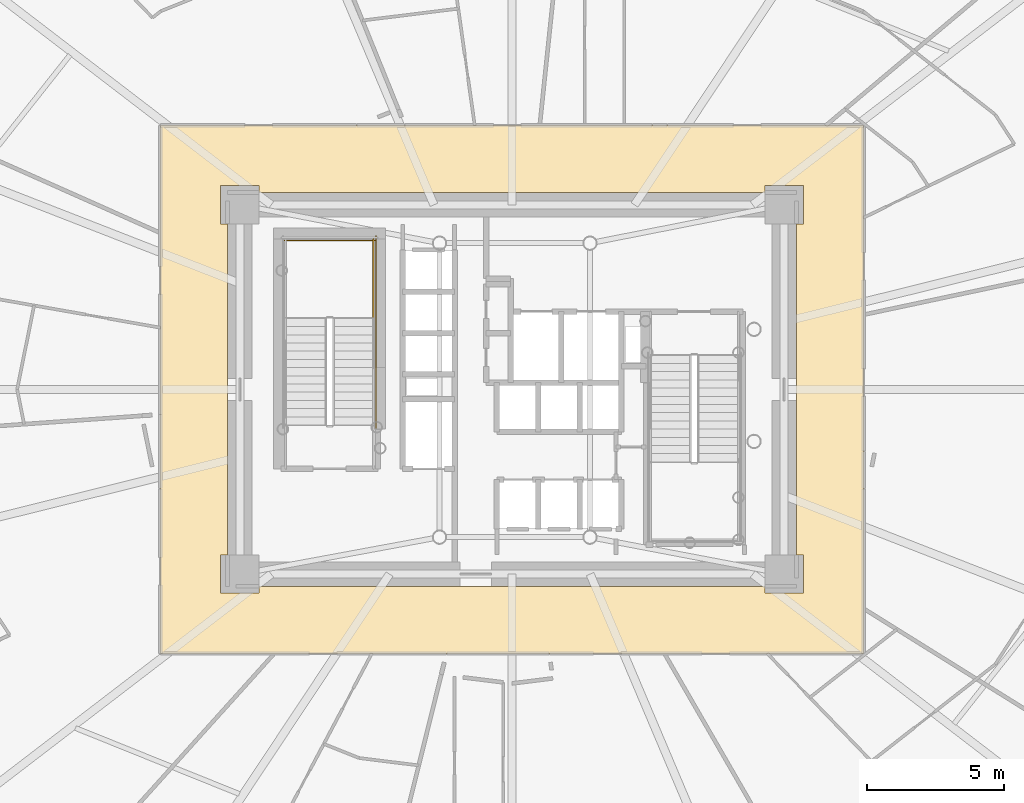
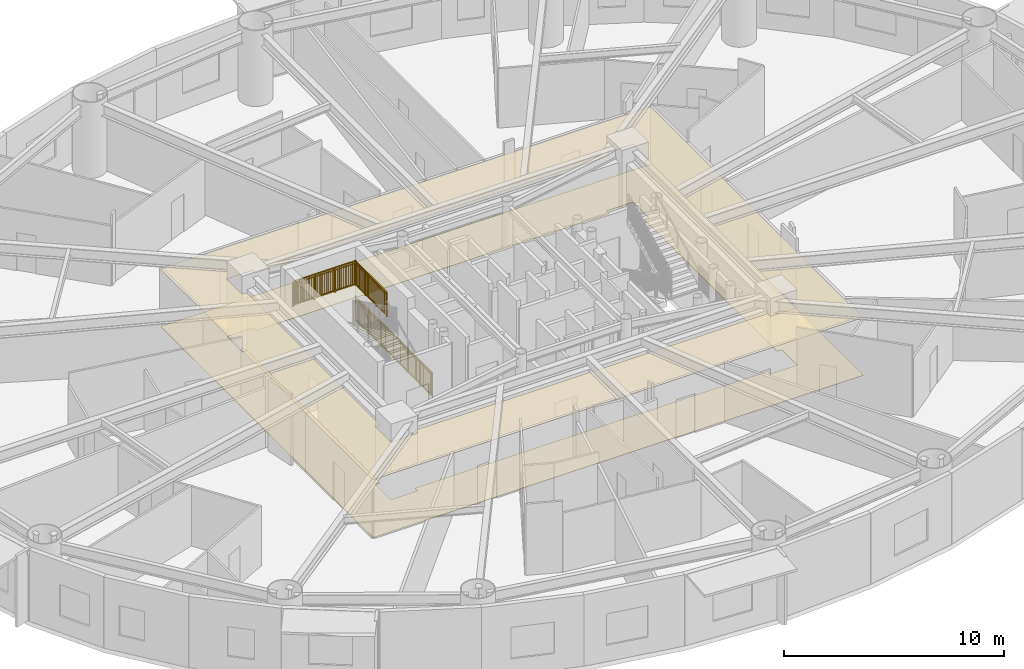
# One storey, part 17 of 21: 3 railings, 2 coverings.
"""IFC4 building model written with IfcOpenShell, lengths in metres."""

from ifc_helpers import new_model, si_unit, direction, frame, origin, origin_2d, place, context, subcontext, project, spatial, polyline, rectangle, outline, extrude, source, transform, mapped, material, layer, layer_set, type_object, element, save


model = new_model("IFC4")

# Units and contexts
model_context = context("Model", 3, precision=1e-05, world=origin(), true_north=direction((0.0, 1.0)))
body_context = subcontext(model_context, "Body", "Model", "MODEL_VIEW")
ifc_project = project(units=[si_unit("LENGTHUNIT", "METRE"), si_unit("AREAUNIT", "SQUARE_METRE"), si_unit("VOLUMEUNIT", "CUBIC_METRE"), si_unit("PLANEANGLEUNIT", "RADIAN"), si_unit("MASSUNIT", "GRAM", prefix="KILO")], contexts=[model_context])

# Site, building, storey
site_placement = place(None, origin())
site = spatial("IfcSite", under=ifc_project, at=site_placement, CompositionType="ELEMENT")
building_placement = place(site_placement, origin())
building = spatial("IfcBuilding", under=site, at=building_placement, Name="Linh Dai School and Residence Tower", CompositionType="ELEMENT")
storey_placement = place(building_placement, frame((0.0, 0.0, 61.800048828125)))
storey = spatial("IfcBuildingStorey", under=building, at=storey_placement, Name="L14", CompositionType="ELEMENT", Elevation=61.800048828125)

# Coverings
ifc_material_1 = material(Name="Mineral Fibre Acoustic Suspended Ceiling", Category="masonry")
ifc_layer_1 = layer(ifc_material_1, 0.02001953125)
ifc_layer_set_1 = layer_set([ifc_layer_1], Name="Mineral Fibre Acoustic Suspended Ceiling")
covering_type_1 = type_object("IfcCoveringType", Name="COV-CEIL-AC-20", PredefinedType="CEILING", material=ifc_layer_set_1)
covering_1_placement = place(storey_placement, frame((0.0, 0.0, 3.199951171875)))
element("IfcCovering", 1, at=covering_1_placement, inside=storey, type_object=covering_type_1, Name="L14 Residential Floor Corridor Suspended Ceiling", PredefinedType="CEILING", context=body_context, shape_type="SweptSolid", body=[
    extrude(outline(polyline([(48.85009765625, 36.64990234375), (48.85009765625, 17.35009765625), (23.14990234375, 17.35009765625), (23.14990234375, 36.64990234375), (48.85009765625, 36.64990234375)]), holes=[polyline([(26.75, 34.199951171875), (26.75, 34.449951171875), (25.35009765625, 34.449951171875), (25.35009765625, 33.050048828125), (25.60009765625, 33.050048828125), (25.60009765625, 20.949951171875), (25.35009765625, 20.949951171875), (25.35009765625, 19.550048828125), (26.75, 19.550048828125), (26.75, 19.800048828125), (45.25, 19.800048828125), (45.25, 19.550048828125), (46.64990234375, 19.550048828125), (46.64990234375, 20.949951171875), (46.39990234375, 20.949951171875), (46.39990234375, 33.050048828125), (46.64990234375, 33.050048828125), (46.64990234375, 34.449951171875), (45.25, 34.449951171875), (45.25, 34.199951171875), (26.75, 34.199951171875)])]), origin(), (0.0, 0.0, 1.0), 0.02001953125),
])
ifc_material_2 = material(Name="Polished Terrazzo Floor Finish", Category="masonry")
ifc_layer_2 = layer(ifc_material_2, 0.02490234375)
ifc_layer_set_2 = layer_set([ifc_layer_2], Name="Polished Terrazzo Floor Finish")
covering_type_2 = type_object("IfcCoveringType", Name="COV-FLR-TRZ-25", PredefinedType="FLOORING", material=ifc_layer_set_2)
covering_2_placement = place(storey_placement, origin())
element("IfcCovering", 2, at=covering_2_placement, inside=storey, type_object=covering_type_2, Name="L14 Residential Floor Corridor Floor Finish", PredefinedType="FLOORING", context=body_context, shape_type="SweptSolid", body=[
    extrude(outline(polyline([(48.85009765625, 36.64990234375), (48.85009765625, 17.35009765625), (23.14990234375, 17.35009765625), (23.14990234375, 36.64990234375), (48.85009765625, 36.64990234375)]), holes=[polyline([(26.75, 34.199951171875), (26.75, 34.449951171875), (25.35009765625, 34.449951171875), (25.35009765625, 33.050048828125), (25.60009765625, 33.050048828125), (25.60009765625, 20.949951171875), (25.35009765625, 20.949951171875), (25.35009765625, 19.550048828125), (26.75, 19.550048828125), (26.75, 19.800048828125), (45.25, 19.800048828125), (45.25, 19.550048828125), (46.64990234375, 19.550048828125), (46.64990234375, 20.949951171875), (46.39990234375, 20.949951171875), (46.39990234375, 33.050048828125), (46.64990234375, 33.050048828125), (46.64990234375, 34.449951171875), (45.25, 34.449951171875), (45.25, 34.199951171875), (26.75, 34.199951171875)])]), origin(), (0.0, 0.0, 1.0), 0.02001953125),
])

# Railings
ifc_material_3 = material(Name="Structural Steel S355JR", Category="steel")
railing_type = type_object("IfcRailingType", Name="RL-ST-GUARD-1400", PredefinedType="GUARDRAIL", material=ifc_material_3)
shared_shape_1 = source(origin(), body_context, "Body", "SweptSolid", [
    extrude(rectangle(XDim=0.048095703125, YDim=0.048095703125, at=origin_2d()), frame((0.0, 0.0, 1.3759765625), z_axis=(-1.0, 0.0, 0.0), x_axis=(0.0, -1.0, 0.0)), (0.0, 0.0, 1.0), 3.300048828125),
    extrude(rectangle(XDim=0.048095703125, YDim=0.048095703125, at=origin_2d()), frame((0.0, 0.0, 0.10009765625), z_axis=(-1.0, 0.0, 0.0), x_axis=(0.0, -1.0, 0.0)), (0.0, 0.0, 1.0), 3.300048828125),
    extrude(rectangle(XDim=0.030029296875, YDim=0.030029296875, at=origin_2d()), frame((0.0, 0.0, 1.239990234375), z_axis=(-1.0, 0.0, 0.0), x_axis=(0.0, -1.0, 0.0)), (0.0, 0.0, 1.0), 3.300048828125),
    extrude(rectangle(XDim=0.02001953125, YDim=0.02001953125, at=origin_2d()), frame((-0.09716796875, 0.0, 0.10009765625)), (0.0, 0.0, 1.0), 1.251708984375),
    extrude(rectangle(XDim=0.02001953125, YDim=0.02001953125, at=origin_2d()), frame((-0.194091796875, 0.0, 0.10009765625)), (0.0, 0.0, 1.0), 1.251708984375),
    extrude(rectangle(XDim=0.02001953125, YDim=0.02001953125, at=origin_2d()), frame((-0.291259765625, 0.0, 0.10009765625)), (0.0, 0.0, 1.0), 1.251708984375),
    extrude(rectangle(XDim=0.02001953125, YDim=0.02001953125, at=origin_2d()), frame((-0.38818359375, 0.0, 0.10009765625)), (0.0, 0.0, 1.0), 1.251708984375),
    extrude(rectangle(XDim=0.02001953125, YDim=0.02001953125, at=origin_2d()), frame((-0.4853515625, 0.0, 0.10009765625)), (0.0, 0.0, 1.0), 1.251708984375),
    extrude(rectangle(XDim=0.02001953125, YDim=0.02001953125, at=origin_2d()), frame((-0.582275390625, 0.0, 0.10009765625)), (0.0, 0.0, 1.0), 1.251708984375),
    extrude(rectangle(XDim=0.02001953125, YDim=0.02001953125, at=origin_2d()), frame((-0.679443359375, 0.0, 0.10009765625)), (0.0, 0.0, 1.0), 1.251708984375),
    extrude(rectangle(XDim=0.02001953125, YDim=0.02001953125, at=origin_2d()), frame((-0.7763671875, 0.0, 0.10009765625)), (0.0, 0.0, 1.0), 1.251708984375),
    extrude(rectangle(XDim=0.02001953125, YDim=0.02001953125, at=origin_2d()), frame((-0.87353515625, 0.0, 0.10009765625)), (0.0, 0.0, 1.0), 1.251708984375),
    extrude(rectangle(XDim=0.02001953125, YDim=0.02001953125, at=origin_2d()), frame((-0.970703125, 0.0, 0.10009765625)), (0.0, 0.0, 1.0), 1.251708984375),
    extrude(rectangle(XDim=0.02001953125, YDim=0.02001953125, at=origin_2d()), frame((-1.164794921875, 0.0, 0.10009765625)), (0.0, 0.0, 1.0), 1.251708984375),
    extrude(rectangle(XDim=0.02001953125, YDim=0.02001953125, at=origin_2d()), frame((-1.26171875, 0.0, 0.10009765625)), (0.0, 0.0, 1.0), 1.251708984375),
    extrude(rectangle(XDim=0.02001953125, YDim=0.02001953125, at=origin_2d()), frame((-1.35888671875, 0.0, 0.10009765625)), (0.0, 0.0, 1.0), 1.251708984375),
    extrude(rectangle(XDim=0.02001953125, YDim=0.02001953125, at=origin_2d()), frame((-1.455810546875, 0.0, 0.10009765625)), (0.0, 0.0, 1.0), 1.251708984375),
    extrude(rectangle(XDim=0.02001953125, YDim=0.02001953125, at=origin_2d()), frame((-1.552978515625, 0.0, 0.10009765625)), (0.0, 0.0, 1.0), 1.251708984375),
    extrude(rectangle(XDim=0.02001953125, YDim=0.02001953125, at=origin_2d()), frame((-1.64990234375, 0.0, 0.10009765625)), (0.0, 0.0, 1.0), 1.251708984375),
    extrude(rectangle(XDim=0.02001953125, YDim=0.02001953125, at=origin_2d()), frame((-1.7470703125, 0.0, 0.10009765625)), (0.0, 0.0, 1.0), 1.251708984375),
    extrude(rectangle(XDim=0.02001953125, YDim=0.02001953125, at=origin_2d()), frame((-1.84423828125, 0.0, 0.10009765625)), (0.0, 0.0, 1.0), 1.251708984375),
    extrude(rectangle(XDim=0.02001953125, YDim=0.02001953125, at=origin_2d()), frame((-1.941162109375, 0.0, 0.10009765625)), (0.0, 0.0, 1.0), 1.251708984375),
    extrude(rectangle(XDim=0.02001953125, YDim=0.02001953125, at=origin_2d()), frame((-2.038330078125, 0.0, 0.10009765625)), (0.0, 0.0, 1.0), 1.251708984375),
    extrude(rectangle(XDim=0.02001953125, YDim=0.02001953125, at=origin_2d()), frame((-2.13525390625, 0.0, 0.10009765625)), (0.0, 0.0, 1.0), 1.251708984375),
    extrude(rectangle(XDim=0.02001953125, YDim=0.02001953125, at=origin_2d()), frame((-2.329345703125, 0.0, 0.10009765625)), (0.0, 0.0, 1.0), 1.251708984375),
    extrude(rectangle(XDim=0.02001953125, YDim=0.02001953125, at=origin_2d()), frame((-2.426513671875, 0.0, 0.10009765625)), (0.0, 0.0, 1.0), 1.251708984375),
    extrude(rectangle(XDim=0.02001953125, YDim=0.02001953125, at=origin_2d()), frame((-2.523681640625, 0.0, 0.10009765625)), (0.0, 0.0, 1.0), 1.251708984375),
    extrude(rectangle(XDim=0.02001953125, YDim=0.02001953125, at=origin_2d()), frame((-2.62060546875, 0.0, 0.10009765625)), (0.0, 0.0, 1.0), 1.251708984375),
    extrude(rectangle(XDim=0.02001953125, YDim=0.02001953125, at=origin_2d()), frame((-2.7177734375, 0.0, 0.10009765625)), (0.0, 0.0, 1.0), 1.251708984375),
    extrude(rectangle(XDim=0.02001953125, YDim=0.02001953125, at=origin_2d()), frame((-2.814697265625, 0.0, 0.10009765625)), (0.0, 0.0, 1.0), 1.251708984375),
    extrude(rectangle(XDim=0.02001953125, YDim=0.02001953125, at=origin_2d()), frame((-2.911865234375, 0.0, 0.10009765625)), (0.0, 0.0, 1.0), 1.251708984375),
    extrude(rectangle(XDim=0.02001953125, YDim=0.02001953125, at=origin_2d()), frame((-3.0087890625, 0.0, 0.10009765625)), (0.0, 0.0, 1.0), 1.251708984375),
    extrude(rectangle(XDim=0.02001953125, YDim=0.02001953125, at=origin_2d()), frame((-3.10595703125, 0.0, 0.10009765625)), (0.0, 0.0, 1.0), 1.251708984375),
    extrude(rectangle(XDim=0.02001953125, YDim=0.02001953125, at=origin_2d()), frame((-3.202880859375, 0.0, 0.10009765625)), (0.0, 0.0, 1.0), 1.251708984375),
    extrude(rectangle(XDim=0.0419921875, YDim=0.0419921875, at=origin_2d()), origin(), (0.0, 0.0, 1.0), 1.3759765625),
    extrude(rectangle(XDim=0.0419921875, YDim=0.0419921875, at=origin_2d()), frame((-1.10009765625, 0.0, 0.0)), (0.0, 0.0, 1.0), 1.3759765625),
    extrude(rectangle(XDim=0.0419921875, YDim=0.0419921875, at=origin_2d()), frame((-2.199951171875, 0.0, 0.0)), (0.0, 0.0, 1.0), 1.3759765625),
    extrude(rectangle(XDim=0.0419921875, YDim=0.0419921875, at=origin_2d()), frame((-3.300048828125, 0.0, 0.0)), (0.0, 0.0, 1.0), 1.3759765625),
])
railing_1_placement = place(storey_placement, frame((30.97998046875, 32.449951171875, 2.099853515625)))
element("IfcRailing", 3, at=railing_1_placement, inside=storey, type_object=railing_type, Name="L14 ST1 stair guard 5", PredefinedType="GUARDRAIL", context=body_context, shape_type="MappedRepresentation", body=[
    mapped(shared_shape_1, transform((0.0, 0.0, 0.0), x_axis=(1.0, 0.0, 0.0), y_axis=(0.0, 1.0, 0.0), z_axis=(0.0, 0.0, 1.0), scale=1.0)),
])
shared_shape_2 = source(origin(), body_context, "Body", "SweptSolid", [
    extrude(rectangle(XDim=0.048095703125, YDim=0.048095703125, at=origin_2d()), frame((0.0, 0.0, 1.3759765625), z_axis=(0.0, 1.0, 0.0), x_axis=(-1.0, 0.0, 0.0)), (0.0, 0.0, 1.0), 7.0),
    extrude(rectangle(XDim=0.048095703125, YDim=0.048095703125, at=origin_2d()), frame((0.0, 0.0, 0.10009765625), z_axis=(0.0, 1.0, 0.0), x_axis=(-1.0, 0.0, 0.0)), (0.0, 0.0, 1.0), 7.0),
    extrude(rectangle(XDim=0.030029296875, YDim=0.030029296875, at=origin_2d()), frame((0.0, 0.0, 1.239990234375), z_axis=(0.0, 1.0, 0.0), x_axis=(-1.0, 0.0, 0.0)), (0.0, 0.0, 1.0), 7.0),
    extrude(rectangle(XDim=0.02001953125, YDim=0.02001953125, at=origin_2d()), frame((0.0, 0.09716796875, 0.10009765625)), (0.0, 0.0, 1.0), 1.251708984375),
    extrude(rectangle(XDim=0.02001953125, YDim=0.02001953125, at=origin_2d()), frame((0.0, 0.1943359375, 0.10009765625)), (0.0, 0.0, 1.0), 1.251708984375),
    extrude(rectangle(XDim=0.02001953125, YDim=0.02001953125, at=origin_2d()), frame((0.0, 0.291748046875, 0.10009765625)), (0.0, 0.0, 1.0), 1.251708984375),
    extrude(rectangle(XDim=0.02001953125, YDim=0.02001953125, at=origin_2d()), frame((0.0, 0.388916015625, 0.10009765625)), (0.0, 0.0, 1.0), 1.251708984375),
    extrude(rectangle(XDim=0.02001953125, YDim=0.02001953125, at=origin_2d()), frame((0.0, 0.486083984375, 0.10009765625)), (0.0, 0.0, 1.0), 1.251708984375),
    extrude(rectangle(XDim=0.02001953125, YDim=0.02001953125, at=origin_2d()), frame((0.0, 0.583251953125, 0.10009765625)), (0.0, 0.0, 1.0), 1.251708984375),
    extrude(rectangle(XDim=0.02001953125, YDim=0.02001953125, at=origin_2d()), frame((0.0, 0.6806640625, 0.10009765625)), (0.0, 0.0, 1.0), 1.251708984375),
    extrude(rectangle(XDim=0.02001953125, YDim=0.02001953125, at=origin_2d()), frame((0.0, 0.77783203125, 0.10009765625)), (0.0, 0.0, 1.0), 1.251708984375),
    extrude(rectangle(XDim=0.02001953125, YDim=0.02001953125, at=origin_2d()), frame((0.0, 0.875, 0.10009765625)), (0.0, 0.0, 1.0), 1.251708984375),
    extrude(rectangle(XDim=0.02001953125, YDim=0.02001953125, at=origin_2d()), frame((0.0, 0.97216796875, 0.10009765625)), (0.0, 0.0, 1.0), 1.251708984375),
    extrude(rectangle(XDim=0.02001953125, YDim=0.02001953125, at=origin_2d()), frame((0.0, 1.0693359375, 0.10009765625)), (0.0, 0.0, 1.0), 1.251708984375),
    extrude(rectangle(XDim=0.02001953125, YDim=0.02001953125, at=origin_2d()), frame((0.0, 1.263916015625, 0.10009765625)), (0.0, 0.0, 1.0), 1.251708984375),
    extrude(rectangle(XDim=0.02001953125, YDim=0.02001953125, at=origin_2d()), frame((0.0, 1.361083984375, 0.10009765625)), (0.0, 0.0, 1.0), 1.251708984375),
    extrude(rectangle(XDim=0.02001953125, YDim=0.02001953125, at=origin_2d()), frame((0.0, 1.458251953125, 0.10009765625)), (0.0, 0.0, 1.0), 1.251708984375),
    extrude(rectangle(XDim=0.02001953125, YDim=0.02001953125, at=origin_2d()), frame((0.0, 1.5556640625, 0.10009765625)), (0.0, 0.0, 1.0), 1.251708984375),
    extrude(rectangle(XDim=0.02001953125, YDim=0.02001953125, at=origin_2d()), frame((0.0, 1.65283203125, 0.10009765625)), (0.0, 0.0, 1.0), 1.251708984375),
    extrude(rectangle(XDim=0.02001953125, YDim=0.02001953125, at=origin_2d()), frame((0.0, 1.75, 0.10009765625)), (0.0, 0.0, 1.0), 1.251708984375),
    extrude(rectangle(XDim=0.02001953125, YDim=0.02001953125, at=origin_2d()), frame((0.0, 1.84716796875, 0.10009765625)), (0.0, 0.0, 1.0), 1.251708984375),
    extrude(rectangle(XDim=0.02001953125, YDim=0.02001953125, at=origin_2d()), frame((0.0, 1.9443359375, 0.10009765625)), (0.0, 0.0, 1.0), 1.251708984375),
    extrude(rectangle(XDim=0.02001953125, YDim=0.02001953125, at=origin_2d()), frame((0.0, 2.041748046875, 0.10009765625)), (0.0, 0.0, 1.0), 1.251708984375),
    extrude(rectangle(XDim=0.02001953125, YDim=0.02001953125, at=origin_2d()), frame((0.0, 2.138916015625, 0.10009765625)), (0.0, 0.0, 1.0), 1.251708984375),
    extrude(rectangle(XDim=0.02001953125, YDim=0.02001953125, at=origin_2d()), frame((0.0, 2.236083984375, 0.10009765625)), (0.0, 0.0, 1.0), 1.251708984375),
    extrude(rectangle(XDim=0.02001953125, YDim=0.02001953125, at=origin_2d()), frame((0.0, 2.4306640625, 0.10009765625)), (0.0, 0.0, 1.0), 1.251708984375),
    extrude(rectangle(XDim=0.02001953125, YDim=0.02001953125, at=origin_2d()), frame((0.0, 2.52783203125, 0.10009765625)), (0.0, 0.0, 1.0), 1.251708984375),
    extrude(rectangle(XDim=0.02001953125, YDim=0.02001953125, at=origin_2d()), frame((0.0, 2.625, 0.10009765625)), (0.0, 0.0, 1.0), 1.251708984375),
    extrude(rectangle(XDim=0.02001953125, YDim=0.02001953125, at=origin_2d()), frame((0.0, 2.72216796875, 0.10009765625)), (0.0, 0.0, 1.0), 1.251708984375),
    extrude(rectangle(XDim=0.02001953125, YDim=0.02001953125, at=origin_2d()), frame((0.0, 2.8193359375, 0.10009765625)), (0.0, 0.0, 1.0), 1.251708984375),
    extrude(rectangle(XDim=0.02001953125, YDim=0.02001953125, at=origin_2d()), frame((0.0, 2.916748046875, 0.10009765625)), (0.0, 0.0, 1.0), 1.251708984375),
    extrude(rectangle(XDim=0.02001953125, YDim=0.02001953125, at=origin_2d()), frame((0.0, 3.013916015625, 0.10009765625)), (0.0, 0.0, 1.0), 1.251708984375),
    extrude(rectangle(XDim=0.02001953125, YDim=0.02001953125, at=origin_2d()), frame((0.0, 3.111083984375, 0.10009765625)), (0.0, 0.0, 1.0), 1.251708984375),
    extrude(rectangle(XDim=0.02001953125, YDim=0.02001953125, at=origin_2d()), frame((0.0, 3.208251953125, 0.10009765625)), (0.0, 0.0, 1.0), 1.251708984375),
    extrude(rectangle(XDim=0.02001953125, YDim=0.02001953125, at=origin_2d()), frame((0.0, 3.3056640625, 0.10009765625)), (0.0, 0.0, 1.0), 1.251708984375),
    extrude(rectangle(XDim=0.02001953125, YDim=0.02001953125, at=origin_2d()), frame((0.0, 3.40283203125, 0.10009765625)), (0.0, 0.0, 1.0), 1.251708984375),
    extrude(rectangle(XDim=0.02001953125, YDim=0.02001953125, at=origin_2d()), frame((0.0, 3.59716796875, 0.10009765625)), (0.0, 0.0, 1.0), 1.251708984375),
    extrude(rectangle(XDim=0.02001953125, YDim=0.02001953125, at=origin_2d()), frame((0.0, 3.6943359375, 0.10009765625)), (0.0, 0.0, 1.0), 1.251708984375),
    extrude(rectangle(XDim=0.02001953125, YDim=0.02001953125, at=origin_2d()), frame((0.0, 3.791748046875, 0.10009765625)), (0.0, 0.0, 1.0), 1.251708984375),
    extrude(rectangle(XDim=0.02001953125, YDim=0.02001953125, at=origin_2d()), frame((0.0, 3.888916015625, 0.10009765625)), (0.0, 0.0, 1.0), 1.251708984375),
    extrude(rectangle(XDim=0.02001953125, YDim=0.02001953125, at=origin_2d()), frame((0.0, 3.986083984375, 0.10009765625)), (0.0, 0.0, 1.0), 1.251708984375),
    extrude(rectangle(XDim=0.02001953125, YDim=0.02001953125, at=origin_2d()), frame((0.0, 4.083251953125, 0.10009765625)), (0.0, 0.0, 1.0), 1.251708984375),
    extrude(rectangle(XDim=0.02001953125, YDim=0.02001953125, at=origin_2d()), frame((0.0, 4.1806640625, 0.10009765625)), (0.0, 0.0, 1.0), 1.251708984375),
    extrude(rectangle(XDim=0.02001953125, YDim=0.02001953125, at=origin_2d()), frame((0.0, 4.27783203125, 0.10009765625)), (0.0, 0.0, 1.0), 1.251708984375),
    extrude(rectangle(XDim=0.02001953125, YDim=0.02001953125, at=origin_2d()), frame((0.0, 4.375, 0.10009765625)), (0.0, 0.0, 1.0), 1.251708984375),
    extrude(rectangle(XDim=0.02001953125, YDim=0.02001953125, at=origin_2d()), frame((0.0, 4.47216796875, 0.10009765625)), (0.0, 0.0, 1.0), 1.251708984375),
    extrude(rectangle(XDim=0.02001953125, YDim=0.02001953125, at=origin_2d()), frame((0.0, 4.5693359375, 0.10009765625)), (0.0, 0.0, 1.0), 1.251708984375),
    extrude(rectangle(XDim=0.02001953125, YDim=0.02001953125, at=origin_2d()), frame((0.0, 4.763916015625, 0.10009765625)), (0.0, 0.0, 1.0), 1.251708984375),
    extrude(rectangle(XDim=0.02001953125, YDim=0.02001953125, at=origin_2d()), frame((0.0, 4.861083984375, 0.10009765625)), (0.0, 0.0, 1.0), 1.251708984375),
    extrude(rectangle(XDim=0.02001953125, YDim=0.02001953125, at=origin_2d()), frame((0.0, 4.958251953125, 0.10009765625)), (0.0, 0.0, 1.0), 1.251708984375),
    extrude(rectangle(XDim=0.02001953125, YDim=0.02001953125, at=origin_2d()), frame((0.0, 5.0556640625, 0.10009765625)), (0.0, 0.0, 1.0), 1.251708984375),
    extrude(rectangle(XDim=0.02001953125, YDim=0.02001953125, at=origin_2d()), frame((0.0, 5.15283203125, 0.10009765625)), (0.0, 0.0, 1.0), 1.251708984375),
    extrude(rectangle(XDim=0.02001953125, YDim=0.02001953125, at=origin_2d()), frame((0.0, 5.25, 0.10009765625)), (0.0, 0.0, 1.0), 1.251708984375),
    extrude(rectangle(XDim=0.02001953125, YDim=0.02001953125, at=origin_2d()), frame((0.0, 5.34716796875, 0.10009765625)), (0.0, 0.0, 1.0), 1.251708984375),
    extrude(rectangle(XDim=0.02001953125, YDim=0.02001953125, at=origin_2d()), frame((0.0, 5.4443359375, 0.10009765625)), (0.0, 0.0, 1.0), 1.251708984375),
    extrude(rectangle(XDim=0.02001953125, YDim=0.02001953125, at=origin_2d()), frame((0.0, 5.541748046875, 0.10009765625)), (0.0, 0.0, 1.0), 1.251708984375),
    extrude(rectangle(XDim=0.02001953125, YDim=0.02001953125, at=origin_2d()), frame((0.0, 5.638916015625, 0.10009765625)), (0.0, 0.0, 1.0), 1.251708984375),
    extrude(rectangle(XDim=0.02001953125, YDim=0.02001953125, at=origin_2d()), frame((0.0, 5.736083984375, 0.10009765625)), (0.0, 0.0, 1.0), 1.251708984375),
    extrude(rectangle(XDim=0.02001953125, YDim=0.02001953125, at=origin_2d()), frame((0.0, 5.9306640625, 0.10009765625)), (0.0, 0.0, 1.0), 1.251708984375),
    extrude(rectangle(XDim=0.02001953125, YDim=0.02001953125, at=origin_2d()), frame((0.0, 6.02783203125, 0.10009765625)), (0.0, 0.0, 1.0), 1.251708984375),
    extrude(rectangle(XDim=0.02001953125, YDim=0.02001953125, at=origin_2d()), frame((0.0, 6.125, 0.10009765625)), (0.0, 0.0, 1.0), 1.251708984375),
    extrude(rectangle(XDim=0.02001953125, YDim=0.02001953125, at=origin_2d()), frame((0.0, 6.22216796875, 0.10009765625)), (0.0, 0.0, 1.0), 1.251708984375),
    extrude(rectangle(XDim=0.02001953125, YDim=0.02001953125, at=origin_2d()), frame((0.0, 6.3193359375, 0.10009765625)), (0.0, 0.0, 1.0), 1.251708984375),
    extrude(rectangle(XDim=0.02001953125, YDim=0.02001953125, at=origin_2d()), frame((0.0, 6.416748046875, 0.10009765625)), (0.0, 0.0, 1.0), 1.251708984375),
    extrude(rectangle(XDim=0.02001953125, YDim=0.02001953125, at=origin_2d()), frame((0.0, 6.513916015625, 0.10009765625)), (0.0, 0.0, 1.0), 1.251708984375),
    extrude(rectangle(XDim=0.02001953125, YDim=0.02001953125, at=origin_2d()), frame((0.0, 6.611083984375, 0.10009765625)), (0.0, 0.0, 1.0), 1.251708984375),
    extrude(rectangle(XDim=0.02001953125, YDim=0.02001953125, at=origin_2d()), frame((0.0, 6.708251953125, 0.10009765625)), (0.0, 0.0, 1.0), 1.251708984375),
    extrude(rectangle(XDim=0.02001953125, YDim=0.02001953125, at=origin_2d()), frame((0.0, 6.8056640625, 0.10009765625)), (0.0, 0.0, 1.0), 1.251708984375),
    extrude(rectangle(XDim=0.02001953125, YDim=0.02001953125, at=origin_2d()), frame((0.0, 6.90283203125, 0.10009765625)), (0.0, 0.0, 1.0), 1.251708984375),
    extrude(rectangle(XDim=0.0419921875, YDim=0.0419921875, at=origin_2d()), origin(), (0.0, 0.0, 1.0), 1.3759765625),
    extrude(rectangle(XDim=0.0419921875, YDim=0.0419921875, at=origin_2d()), frame((0.0, 1.166748046875, 0.0)), (0.0, 0.0, 1.0), 1.3759765625),
    extrude(rectangle(XDim=0.0419921875, YDim=0.0419921875, at=origin_2d()), frame((0.0, 2.333251953125, 0.0)), (0.0, 0.0, 1.0), 1.3759765625),
    extrude(rectangle(XDim=0.0419921875, YDim=0.0419921875, at=origin_2d()), frame((0.0, 3.5, 0.0)), (0.0, 0.0, 1.0), 1.3759765625),
    extrude(rectangle(XDim=0.0419921875, YDim=0.0419921875, at=origin_2d()), frame((0.0, 4.666748046875, 0.0)), (0.0, 0.0, 1.0), 1.3759765625),
    extrude(rectangle(XDim=0.0419921875, YDim=0.0419921875, at=origin_2d()), frame((0.0, 5.833251953125, 0.0)), (0.0, 0.0, 1.0), 1.3759765625),
    extrude(rectangle(XDim=0.0419921875, YDim=0.0419921875, at=origin_2d()), frame((0.0, 7.0, 0.0)), (0.0, 0.0, 1.0), 1.3759765625),
])
railing_2_placement = place(storey_placement, frame((31.030029296875, 25.60009765625, 0.0)))
element("IfcRailing", 4, at=railing_2_placement, inside=storey, type_object=railing_type, Name="L14 ST1 stair guard 10", PredefinedType="GUARDRAIL", context=body_context, shape_type="MappedRepresentation", body=[
    mapped(shared_shape_2, transform((0.0, 0.0, 0.0), x_axis=(1.0, 0.0, 0.0), y_axis=(0.0, 1.0, 0.0), z_axis=(0.0, 0.0, 1.0), scale=1.0)),
])
shared_shape_3 = source(origin(), body_context, "Body", "SweptSolid", [
    extrude(rectangle(XDim=0.048095703125, YDim=0.048095703125, at=origin_2d()), frame((0.0, 0.0, 1.3759765625), z_axis=(0.0, 1.0, 0.0), x_axis=(-1.0, 0.0, 0.0)), (0.0, 0.0, 1.0), 2.89990234375),
    extrude(rectangle(XDim=0.048095703125, YDim=0.048095703125, at=origin_2d()), frame((0.0, 0.0, 0.10009765625), z_axis=(0.0, 1.0, 0.0), x_axis=(-1.0, 0.0, 0.0)), (0.0, 0.0, 1.0), 2.89990234375),
    extrude(rectangle(XDim=0.030029296875, YDim=0.030029296875, at=origin_2d()), frame((0.0, 0.0, 1.239990234375), z_axis=(0.0, 1.0, 0.0), x_axis=(-1.0, 0.0, 0.0)), (0.0, 0.0, 1.0), 2.89990234375),
    extrude(rectangle(XDim=0.02001953125, YDim=0.02001953125, at=origin_2d()), frame((0.0, 0.0966796875, 0.10009765625)), (0.0, 0.0, 1.0), 1.251708984375),
    extrude(rectangle(XDim=0.02001953125, YDim=0.02001953125, at=origin_2d()), frame((0.0, 0.193359375, 0.10009765625)), (0.0, 0.0, 1.0), 1.251708984375),
    extrude(rectangle(XDim=0.02001953125, YDim=0.02001953125, at=origin_2d()), frame((0.0, 0.2900390625, 0.10009765625)), (0.0, 0.0, 1.0), 1.251708984375),
    extrude(rectangle(XDim=0.02001953125, YDim=0.02001953125, at=origin_2d()), frame((0.0, 0.38671875, 0.10009765625)), (0.0, 0.0, 1.0), 1.251708984375),
    extrude(rectangle(XDim=0.02001953125, YDim=0.02001953125, at=origin_2d()), frame((0.0, 0.4833984375, 0.10009765625)), (0.0, 0.0, 1.0), 1.251708984375),
    extrude(rectangle(XDim=0.02001953125, YDim=0.02001953125, at=origin_2d()), frame((0.0, 0.580078125, 0.10009765625)), (0.0, 0.0, 1.0), 1.251708984375),
    extrude(rectangle(XDim=0.02001953125, YDim=0.02001953125, at=origin_2d()), frame((0.0, 0.6767578125, 0.10009765625)), (0.0, 0.0, 1.0), 1.251708984375),
    extrude(rectangle(XDim=0.02001953125, YDim=0.02001953125, at=origin_2d()), frame((0.0, 0.773193359375, 0.10009765625)), (0.0, 0.0, 1.0), 1.251708984375),
    extrude(rectangle(XDim=0.02001953125, YDim=0.02001953125, at=origin_2d()), frame((0.0, 0.869873046875, 0.10009765625)), (0.0, 0.0, 1.0), 1.251708984375),
    extrude(rectangle(XDim=0.02001953125, YDim=0.02001953125, at=origin_2d()), frame((0.0, 1.063232421875, 0.10009765625)), (0.0, 0.0, 1.0), 1.251708984375),
    extrude(rectangle(XDim=0.02001953125, YDim=0.02001953125, at=origin_2d()), frame((0.0, 1.159912109375, 0.10009765625)), (0.0, 0.0, 1.0), 1.251708984375),
    extrude(rectangle(XDim=0.02001953125, YDim=0.02001953125, at=origin_2d()), frame((0.0, 1.256591796875, 0.10009765625)), (0.0, 0.0, 1.0), 1.251708984375),
    extrude(rectangle(XDim=0.02001953125, YDim=0.02001953125, at=origin_2d()), frame((0.0, 1.353271484375, 0.10009765625)), (0.0, 0.0, 1.0), 1.251708984375),
    extrude(rectangle(XDim=0.02001953125, YDim=0.02001953125, at=origin_2d()), frame((0.0, 1.449951171875, 0.10009765625)), (0.0, 0.0, 1.0), 1.251708984375),
    extrude(rectangle(XDim=0.02001953125, YDim=0.02001953125, at=origin_2d()), frame((0.0, 1.546630859375, 0.10009765625)), (0.0, 0.0, 1.0), 1.251708984375),
    extrude(rectangle(XDim=0.02001953125, YDim=0.02001953125, at=origin_2d()), frame((0.0, 1.643310546875, 0.10009765625)), (0.0, 0.0, 1.0), 1.251708984375),
    extrude(rectangle(XDim=0.02001953125, YDim=0.02001953125, at=origin_2d()), frame((0.0, 1.739990234375, 0.10009765625)), (0.0, 0.0, 1.0), 1.251708984375),
    extrude(rectangle(XDim=0.02001953125, YDim=0.02001953125, at=origin_2d()), frame((0.0, 1.836669921875, 0.10009765625)), (0.0, 0.0, 1.0), 1.251708984375),
    extrude(rectangle(XDim=0.02001953125, YDim=0.02001953125, at=origin_2d()), frame((0.0, 2.030029296875, 0.10009765625)), (0.0, 0.0, 1.0), 1.251708984375),
    extrude(rectangle(XDim=0.02001953125, YDim=0.02001953125, at=origin_2d()), frame((0.0, 2.126708984375, 0.10009765625)), (0.0, 0.0, 1.0), 1.251708984375),
    extrude(rectangle(XDim=0.02001953125, YDim=0.02001953125, at=origin_2d()), frame((0.0, 2.22314453125, 0.10009765625)), (0.0, 0.0, 1.0), 1.251708984375),
    extrude(rectangle(XDim=0.02001953125, YDim=0.02001953125, at=origin_2d()), frame((0.0, 2.31982421875, 0.10009765625)), (0.0, 0.0, 1.0), 1.251708984375),
    extrude(rectangle(XDim=0.02001953125, YDim=0.02001953125, at=origin_2d()), frame((0.0, 2.41650390625, 0.10009765625)), (0.0, 0.0, 1.0), 1.251708984375),
    extrude(rectangle(XDim=0.02001953125, YDim=0.02001953125, at=origin_2d()), frame((0.0, 2.51318359375, 0.10009765625)), (0.0, 0.0, 1.0), 1.251708984375),
    extrude(rectangle(XDim=0.02001953125, YDim=0.02001953125, at=origin_2d()), frame((0.0, 2.60986328125, 0.10009765625)), (0.0, 0.0, 1.0), 1.251708984375),
    extrude(rectangle(XDim=0.02001953125, YDim=0.02001953125, at=origin_2d()), frame((0.0, 2.70654296875, 0.10009765625)), (0.0, 0.0, 1.0), 1.251708984375),
    extrude(rectangle(XDim=0.02001953125, YDim=0.02001953125, at=origin_2d()), frame((0.0, 2.80322265625, 0.10009765625)), (0.0, 0.0, 1.0), 1.251708984375),
    extrude(rectangle(XDim=0.0419921875, YDim=0.0419921875, at=origin_2d()), origin(), (0.0, 0.0, 1.0), 1.3759765625),
    extrude(rectangle(XDim=0.0419921875, YDim=0.0419921875, at=origin_2d()), frame((0.0, 0.966552734375, 0.0)), (0.0, 0.0, 1.0), 1.3759765625),
    extrude(rectangle(XDim=0.0419921875, YDim=0.0419921875, at=origin_2d()), frame((0.0, 1.933349609375, 0.0)), (0.0, 0.0, 1.0), 1.3759765625),
    extrude(rectangle(XDim=0.0419921875, YDim=0.0419921875, at=origin_2d()), frame((0.0, 2.89990234375, 0.0)), (0.0, 0.0, 1.0), 1.3759765625),
])
railing_3_placement = place(storey_placement, frame((30.929931640625, 29.60009765625, 2.099853515625)))
element("IfcRailing", 5, at=railing_3_placement, inside=storey, type_object=railing_type, Name="L14 ST1 stair guard 3", PredefinedType="GUARDRAIL", context=body_context, shape_type="MappedRepresentation", body=[
    mapped(shared_shape_3, transform((0.0, 0.0, 0.0), x_axis=(1.0, 0.0, 0.0), y_axis=(0.0, 1.0, 0.0), z_axis=(0.0, 0.0, 1.0), scale=1.0)),
])

save(model, "model.ifc")
